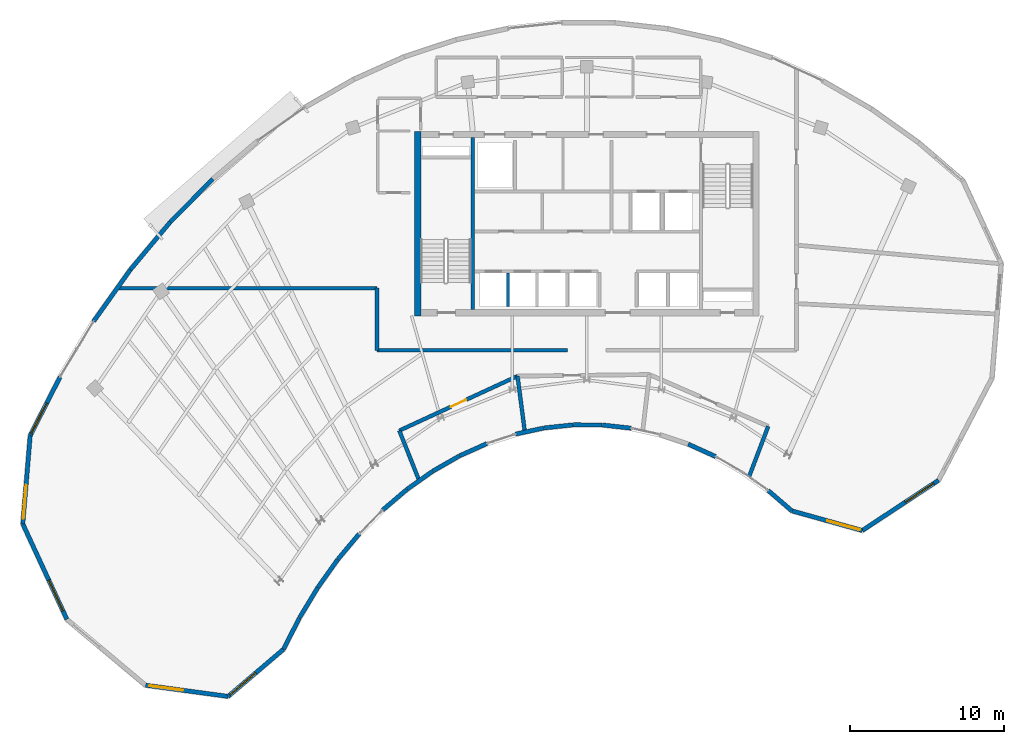
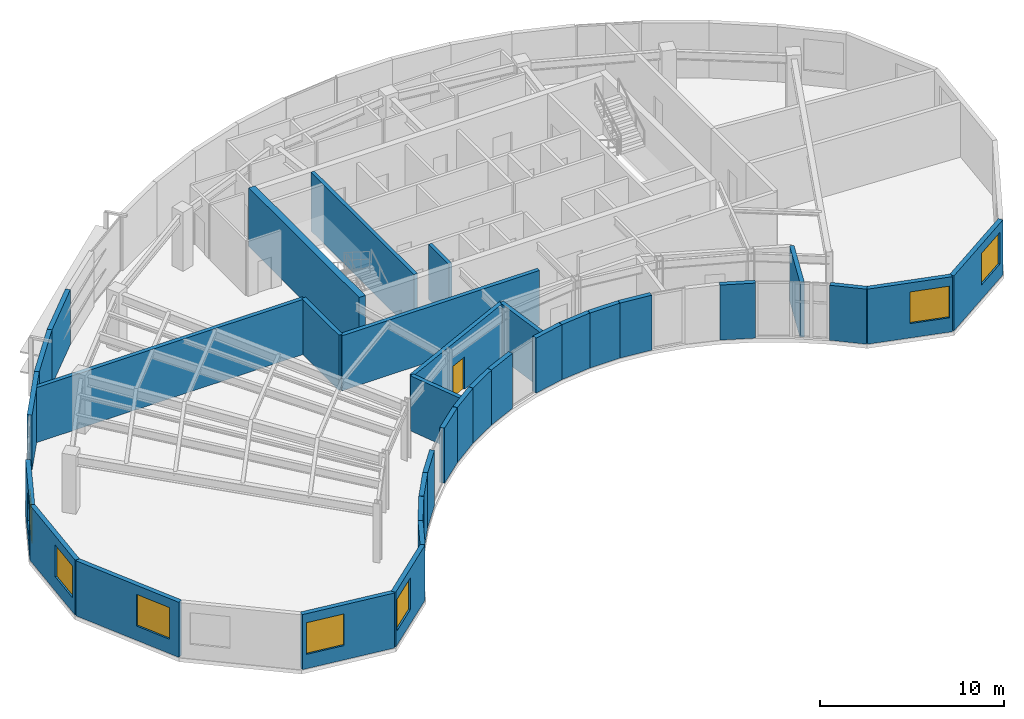
# One storey, part 8 of 12: 34 walls, 7 windows, 1 door, 8 openings.
"""IFC4 building model written with IfcOpenShell, lengths in metres."""

from ifc_helpers import new_model, si_unit, direction, frame, frame_2d, origin, place, context, subcontext, project, spatial, rectangle, extrude, source, transform, mapped, material, layer, layer_set, type_object, type_shapes, element, fill, save


model = new_model("IFC4")

# Units and contexts
model_context = context("Model", 3, precision=1e-05, world=origin(), true_north=direction((0.0, 1.0)))
body_context = subcontext(model_context, "Body", "Model", "MODEL_VIEW")
ifc_project = project(units=[si_unit("LENGTHUNIT", "METRE"), si_unit("AREAUNIT", "SQUARE_METRE"), si_unit("VOLUMEUNIT", "CUBIC_METRE"), si_unit("PLANEANGLEUNIT", "RADIAN"), si_unit("MASSUNIT", "GRAM", prefix="KILO")], contexts=[model_context])

# Site, building, storey
site_placement = place(None, origin())
site = spatial("IfcSite", under=ifc_project, at=site_placement, CompositionType="ELEMENT")
building_placement = place(site_placement, origin())
building = spatial("IfcBuilding", under=site, at=building_placement, Name="Breltana Convention Tower", CompositionType="ELEMENT")
storey_placement = place(building_placement, frame((0.0, 0.0, 264.0)))
storey = spatial("IfcBuildingStorey", under=building, at=storey_placement, Name="L64", CompositionType="ELEMENT", Elevation=264.0)

# Walls
ifc_material_1 = material(Name="Concrete C50/60", Category="concrete")
ifc_layer_1 = layer(ifc_material_1, 0.39990234375, Name="Concrete C50/60")
ifc_layer_set_1 = layer_set([ifc_layer_1], Name="Concrete C50/60")
wall_type_1 = type_object("IfcWallType", Name="SW-CORE-400", PredefinedType="SHEAR", material=ifc_layer_set_1)
shared_shape_1 = source(origin(), body_context, "Body", "SweptSolid", [
    extrude(rectangle(XDim=12.0, YDim=0.39990234375, at=frame_2d((6.0, 0.0))), origin(), (0.0, 0.0, 1.0), 3.89990234375),
])
wall_1_placement = place(storey_placement, frame((37.0, 60.199951171875, 0.0), z_axis=(0.0, 0.0, 1.0), x_axis=(0.0, 1.0, 0.0)))
element("IfcWall", 1, at=wall_1_placement, inside=storey, type_object=wall_type_1, Name="L64 West Core Shear Wall", PredefinedType="SHEAR", context=body_context, shape_type="MappedRepresentation", body=[
    mapped(shared_shape_1, transform((0.0, 0.0, 0.0), scale=1.0)),
])
shared_shape_2 = source(origin(), body_context, "Body", "SweptSolid", [
    extrude(rectangle(XDim=11.199951171875, YDim=0.219970703125, at=frame_2d((5.60009765625, 0.0))), origin(), (0.0, 0.0, 1.0), 3.89990234375),
])
wall_2_placement = place(storey_placement, frame((40.580078125, 60.60009765625, 0.0), z_axis=(0.0, 0.0, 1.0), x_axis=(0.0, 1.0, 0.0)))
element("IfcWall", 2, at=wall_2_placement, inside=storey, type_object=wall_type_1, Name="L64 Core West Stair Spine Wall", PredefinedType="SHEAR", context=body_context, shape_type="MappedRepresentation", body=[
    mapped(shared_shape_2, transform((0.0, 0.0, 0.0), scale=1.0)),
])

# Wall, opening, window
ifc_material_2 = material(Name="Limestone Buff Insulated Wall", Category="masonry")
ifc_layer_2 = layer(ifc_material_2, 0.280029296875, Name="Limestone Buff Insulated Wall")
ifc_layer_set_2 = layer_set([ifc_layer_2], Name="Limestone Buff Insulated Wall")
wall_type_2 = type_object("IfcWallType", Name="WL-EXT-NOSE-280", PredefinedType="SOLIDWALL", material=ifc_layer_set_2)
shared_shape_3 = source(origin(), body_context, "Body", "SweptSolid", [
    extrude(rectangle(XDim=5.9423828125, YDim=0.280029296875, at=frame_2d((2.97119140625, 0.0))), origin(), (0.0, 0.0, 1.0), 3.64990234375),
])
wall_3_placement = place(storey_placement, frame((70.87158203125, 49.513427734375, 0.0), z_axis=(0.0, 0.0, 1.0), x_axis=(-0.834871099304, -0.550445499162, 0.0)))
wall_3 = element("IfcWall", 3, at=wall_3_placement, inside=storey, type_object=wall_type_2, Name="L64 curved limestone nose wall E4", PredefinedType="SOLIDWALL", context=body_context, shape_type="MappedRepresentation", body=[
    mapped(shared_shape_3, transform((0.0, 0.0, 0.0), scale=1.0)),
])
opening_1_placement = place(wall_3_placement, frame((0.385498046875, 0.0, 0.949951171875)))
opening_1 = element("IfcOpeningElement", 4, at=opening_1_placement, cuts=wall_3, Name="Opening W-03", PredefinedType="OPENING", context=body_context, shape_type="SweptSolid", body=[
    extrude(rectangle(XDim=2.199951171875, YDim=2.10009765625, at=frame_2d((1.10009765625, 1.050048828125))), frame((0.0, 0.14990234375, 0.0), z_axis=(0.0, -1.0, 0.0), x_axis=(1.0, 0.0, 0.0)), (0.0, 0.0, 1.0), 0.300048828125),
])
ifc_material_3 = material(Name="Glass Low-E Insulated Window", Category="glass")
window_type = type_object("IfcWindowType", Name="WN-NOSE-2200X2100", PartitioningType="TRIPLE_PANEL_VERTICAL", PredefinedType="WINDOW", material=ifc_material_3)
shared_shape_4 = source(origin(), body_context, "Body", "SweptSolid", [
    extrude(rectangle(XDim=2.199951171875, YDim=2.10009765625, at=frame_2d((1.10009765625, 1.050048828125))), frame((0.0, 0.030029296875, 0.0), z_axis=(0.0, -1.0, 0.0), x_axis=(1.0, 0.0, 0.0)), (0.0, 0.0, 1.0), 0.06005859375),
])
type_shapes(window_type, [shared_shape_4])
window_1_placement = place(opening_1_placement, origin())
window_1 = element("IfcWindow", 5, at=window_1_placement, inside=storey, type_object=window_type, Name="L64 nose window E4", OverallHeight=2.10009765625, OverallWidth=2.199951171875, PartitioningType="TRIPLE_PANEL_VERTICAL", PredefinedType="WINDOW", context=body_context, shape_type="MappedRepresentation", body=[
    mapped(shared_shape_4, transform((0.0, 0.0, 0.0), scale=1.0)),
])
fill(opening_1, window_1)

shared_shape_5 = source(origin(), body_context, "Body", "SweptSolid", [
    extrude(rectangle(XDim=4.74853515625, YDim=0.280029296875, at=frame_2d((2.374267578125, 0.0))), origin(), (0.0, 0.0, 1.0), 3.64990234375),
])
wall_4_placement = place(storey_placement, frame((65.910400390625, 46.242431640625, 0.0), z_axis=(0.0, 0.0, 1.0), x_axis=(-0.963210849911, 0.268746829961, 0.0)))
wall_4 = element("IfcWall", 6, at=wall_4_placement, inside=storey, type_object=wall_type_2, Name="L64 curved limestone nose wall E5", PredefinedType="SOLIDWALL", context=body_context, shape_type="MappedRepresentation", body=[
    mapped(shared_shape_5, transform((0.0, 0.0, 0.0), scale=1.0)),
])
opening_2_placement = place(wall_4_placement, frame((0.159912109375, 0.0, 0.949951171875)))
opening_2 = element("IfcOpeningElement", 7, at=opening_2_placement, cuts=wall_4, Name="Opening W-03", PredefinedType="OPENING", context=body_context, shape_type="SweptSolid", body=[
    extrude(rectangle(XDim=2.199951171875, YDim=2.10009765625, at=frame_2d((1.10009765625, 1.050048828125))), frame((0.0, 0.14990234375, 0.0), z_axis=(0.0, -1.0, 0.0), x_axis=(1.0, 0.0, 0.0)), (0.0, 0.0, 1.0), 0.300048828125),
])
window_2_placement = place(opening_2_placement, origin())
window_2 = element("IfcWindow", 8, at=window_2_placement, inside=storey, type_object=window_type, Name="L64 nose window E5", OverallHeight=2.10009765625, OverallWidth=2.199951171875, PartitioningType="TRIPLE_PANEL_VERTICAL", PredefinedType="WINDOW", context=body_context, shape_type="MappedRepresentation", body=[
    mapped(shared_shape_4, transform((0.0, 0.0, 0.0), scale=1.0)),
])
fill(opening_2, window_2)

# Walls
shared_shape_6 = source(origin(), body_context, "Body", "SweptSolid", [
    extrude(rectangle(XDim=2.040283203125, YDim=0.280029296875, at=frame_2d((1.02001953125, 0.0))), origin(), (0.0, 0.0, 1.0), 3.64990234375),
])
wall_5_placement = place(storey_placement, frame((61.336669921875, 47.5185546875, 0.0), z_axis=(0.0, 0.0, 1.0), x_axis=(-0.758402847119, 0.651786101019, 0.0)))
element("IfcWall", 9, at=wall_5_placement, inside=storey, type_object=wall_type_2, Name="L64 curved limestone nose wall E6", PredefinedType="SOLIDWALL", context=body_context, shape_type="MappedRepresentation", body=[
    mapped(shared_shape_6, transform((0.0, 0.0, 0.0), scale=1.0)),
])
shared_shape_7 = source(origin(), body_context, "Body", "SweptSolid", [
    extrude(rectangle(XDim=1.94970703125, YDim=0.280029296875, at=frame_2d((0.974853515625, 0.0))), origin(), (0.0, 0.0, 1.0), 3.64990234375),
])
wall_6_placement = place(storey_placement, frame((56.37158203125, 51.05224609375, 0.0), z_axis=(0.0, 0.0, 1.0), x_axis=(-0.910507945155, 0.413491574048, 0.0)))
element("IfcWall", 10, at=wall_6_placement, inside=storey, type_object=wall_type_2, Name="L64 curved limestone nose wall E7", PredefinedType="SOLIDWALL", context=body_context, shape_type="MappedRepresentation", body=[
    mapped(shared_shape_7, transform((0.0, 0.0, 0.0), scale=1.0)),
])
shared_shape_8 = source(origin(), body_context, "Body", "SweptSolid", [
    extrude(rectangle(XDim=1.874267578125, YDim=0.280029296875, at=frame_2d((0.93701171875, 0.0))), origin(), (0.0, 0.0, 1.0), 3.64990234375),
])
wall_7_placement = place(storey_placement, frame((48.988037109375, 53.105712890625, 0.0), z_axis=(0.0, 0.0, 1.0), x_axis=(-0.999995893899, 0.002865690982, 0.0)))
element("IfcWall", 11, at=wall_7_placement, inside=storey, type_object=wall_type_2, Name="L64 curved limestone nose wall E10", PredefinedType="SOLIDWALL", context=body_context, shape_type="MappedRepresentation", body=[
    mapped(shared_shape_8, transform((0.0, 0.0, 0.0), scale=1.0)),
])
shared_shape_9 = source(origin(), body_context, "Body", "SweptSolid", [
    extrude(rectangle(XDim=1.87890625, YDim=0.280029296875, at=frame_2d((0.939453125, 0.0))), origin(), (0.0, 0.0, 1.0), 3.64990234375),
])
wall_8_placement = place(storey_placement, frame((47.09423828125, 53.110107421875, 0.0), z_axis=(0.0, 0.0, 1.0), x_axis=(-0.994431872813, -0.105381451568, 0.0)))
element("IfcWall", 12, at=wall_8_placement, inside=storey, type_object=wall_type_2, Name="L64 curved limestone nose wall E11", PredefinedType="SOLIDWALL", context=body_context, shape_type="MappedRepresentation", body=[
    mapped(shared_shape_9, transform((0.0, 0.0, 0.0), scale=1.0)),
])
shared_shape_10 = source(origin(), body_context, "Body", "SweptSolid", [
    extrude(rectangle(XDim=1.89306640625, YDim=0.280029296875, at=frame_2d((0.946533203125, 0.0))), origin(), (0.0, 0.0, 1.0), 3.64990234375),
])
wall_9_placement = place(storey_placement, frame((45.206787109375, 52.908935546875, 0.0), z_axis=(0.0, 0.0, 1.0), x_axis=(-0.977379595344, -0.21149261596, 0.0)))
element("IfcWall", 13, at=wall_9_placement, inside=storey, type_object=wall_type_2, Name="L64 curved limestone nose wall E12", PredefinedType="SOLIDWALL", context=body_context, shape_type="MappedRepresentation", body=[
    mapped(shared_shape_10, transform((0.0, 0.0, 0.0), scale=1.0)),
])
shared_shape_11 = source(origin(), body_context, "Body", "SweptSolid", [
    extrude(rectangle(XDim=1.98583984375, YDim=0.280029296875, at=frame_2d((0.992919921875, 0.0))), origin(), (0.0, 0.0, 1.0), 3.64990234375),
])
wall_10_placement = place(storey_placement, frame((39.70751953125, 51.0927734375, 0.0), z_axis=(0.0, 0.0, 1.0), x_axis=(-0.867940364671, -0.496668423976, 0.0)))
element("IfcWall", 14, at=wall_10_placement, inside=storey, type_object=wall_type_2, Name="L64 curved limestone nose wall E14", PredefinedType="SOLIDWALL", context=body_context, shape_type="MappedRepresentation", body=[
    mapped(shared_shape_11, transform((0.0, 0.0, 0.0), scale=1.0)),
])
shared_shape_12 = source(origin(), body_context, "Body", "SweptSolid", [
    extrude(rectangle(XDim=2.029541015625, YDim=0.280029296875, at=frame_2d((1.0146484375, 0.0))), origin(), (0.0, 0.0, 1.0), 3.64990234375),
])
wall_11_placement = place(storey_placement, frame((37.969482421875, 50.097412109375, 0.0), z_axis=(0.0, 0.0, 1.0), x_axis=(-0.816987864272, -0.576654861796, 0.0)))
element("IfcWall", 15, at=wall_11_placement, inside=storey, type_object=wall_type_2, Name="L64 curved limestone nose wall E15", PredefinedType="SOLIDWALL", context=body_context, shape_type="MappedRepresentation", body=[
    mapped(shared_shape_12, transform((0.0, 0.0, 0.0), scale=1.0)),
])
shared_shape_13 = source(origin(), body_context, "Body", "SweptSolid", [
    extrude(rectangle(XDim=2.07763671875, YDim=0.280029296875, at=frame_2d((1.038818359375, 0.0))), origin(), (0.0, 0.0, 1.0), 3.64990234375),
])
wall_12_placement = place(storey_placement, frame((36.29833984375, 48.9169921875, 0.0), z_axis=(0.0, 0.0, 1.0), x_axis=(-0.761475215802, -0.648194026291, 0.0)))
element("IfcWall", 16, at=wall_12_placement, inside=storey, type_object=wall_type_2, Name="L64 curved limestone nose wall E16", PredefinedType="SOLIDWALL", context=body_context, shape_type="MappedRepresentation", body=[
    mapped(shared_shape_13, transform((0.0, 0.0, 0.0), scale=1.0)),
])
shared_shape_14 = source(origin(), body_context, "Body", "SweptSolid", [
    extrude(rectangle(XDim=2.231201171875, YDim=0.280029296875, at=frame_2d((1.11572265625, 0.0))), origin(), (0.0, 0.0, 1.0), 3.64990234375),
])
wall_13_placement = place(storey_placement, frame((31.792236328125, 44.35205078125, 0.0), z_axis=(0.0, 0.0, 1.0), x_axis=(-0.579622296598, -0.814885263879, 0.0)))
element("IfcWall", 17, at=wall_13_placement, inside=storey, type_object=wall_type_2, Name="L64 curved limestone nose wall E18", PredefinedType="SOLIDWALL", context=body_context, shape_type="MappedRepresentation", body=[
    mapped(shared_shape_14, transform((0.0, 0.0, 0.0), scale=1.0)),
])
shared_shape_15 = source(origin(), body_context, "Body", "SweptSolid", [
    extrude(rectangle(XDim=2.28076171875, YDim=0.280029296875, at=frame_2d((1.140380859375, 0.0))), origin(), (0.0, 0.0, 1.0), 3.64990234375),
])
wall_14_placement = place(storey_placement, frame((30.49169921875, 42.522705078125, 0.0), z_axis=(0.0, 0.0, 1.0), x_axis=(-0.516917942662, -0.856034952881, 0.0)))
element("IfcWall", 18, at=wall_14_placement, inside=storey, type_object=wall_type_2, Name="L64 curved limestone nose wall E19", PredefinedType="SOLIDWALL", context=body_context, shape_type="MappedRepresentation", body=[
    mapped(shared_shape_15, transform((0.0, 0.0, 0.0), scale=1.0)),
])
shared_shape_16 = source(origin(), body_context, "Body", "SweptSolid", [
    extrude(rectangle(XDim=2.291748046875, YDim=0.280029296875, at=frame_2d((1.14599609375, 0.0))), origin(), (0.0, 0.0, 1.0), 3.64990234375),
])
wall_15_placement = place(storey_placement, frame((29.306396484375, 40.558837890625, 0.0), z_axis=(0.0, 0.0, 1.0), x_axis=(-0.453933760778, -0.891035431858, 0.0)))
element("IfcWall", 19, at=wall_15_placement, inside=storey, type_object=wall_type_2, Name="L64 curved limestone nose wall W1", PredefinedType="SOLIDWALL", context=body_context, shape_type="MappedRepresentation", body=[
    mapped(shared_shape_16, transform((0.0, 0.0, 0.0), scale=1.0)),
])

# Wall, opening, window
shared_shape_17 = source(origin(), body_context, "Body", "SweptSolid", [
    extrude(rectangle(XDim=4.731689453125, YDim=0.280029296875, at=frame_2d((2.36572265625, 0.0))), origin(), (0.0, 0.0, 1.0), 3.64990234375),
])
wall_16_placement = place(storey_placement, frame((28.26611328125, 38.516845703125, 0.0), z_axis=(0.0, 0.0, 1.0), x_axis=(-0.761912583238, -0.647679871158, 0.0)))
wall_16 = element("IfcWall", 20, at=wall_16_placement, inside=storey, type_object=wall_type_2, Name="L64 curved limestone nose wall W2", PredefinedType="SOLIDWALL", context=body_context, shape_type="MappedRepresentation", body=[
    mapped(shared_shape_17, transform((0.0, 0.0, 0.0), scale=1.0)),
])
opening_3_placement = place(wall_16_placement, frame((2.371826171875, 0.0, 0.949951171875)))
opening_3 = element("IfcOpeningElement", 21, at=opening_3_placement, cuts=wall_16, Name="Opening W-03", PredefinedType="OPENING", context=body_context, shape_type="SweptSolid", body=[
    extrude(rectangle(XDim=2.199951171875, YDim=2.10009765625, at=frame_2d((1.10009765625, 1.050048828125))), frame((0.0, 0.14990234375, 0.0), z_axis=(0.0, -1.0, 0.0), x_axis=(1.0, 0.0, 0.0)), (0.0, 0.0, 1.0), 0.300048828125),
])
window_3_placement = place(opening_3_placement, origin())
window_3 = element("IfcWindow", 22, at=window_3_placement, inside=storey, type_object=window_type, Name="L64 nose window W2", OverallHeight=2.10009765625, OverallWidth=2.199951171875, PartitioningType="TRIPLE_PANEL_VERTICAL", PredefinedType="WINDOW", context=body_context, shape_type="MappedRepresentation", body=[
    mapped(shared_shape_4, transform((0.0, 0.0, 0.0), scale=1.0)),
])
fill(opening_3, window_3)

shared_shape_18 = source(origin(), body_context, "Body", "SweptSolid", [
    extrude(rectangle(XDim=5.40771484375, YDim=0.280029296875, at=frame_2d((2.703857421875, 0.0))), origin(), (0.0, 0.0, 1.0), 3.64990234375),
])
wall_17_placement = place(storey_placement, frame((24.660888671875, 35.4521484375, 0.0), z_axis=(0.0, 0.0, 1.0), x_axis=(-0.990932903229, 0.134357661853, 0.0)))
wall_17 = element("IfcWall", 23, at=wall_17_placement, inside=storey, type_object=wall_type_2, Name="L64 curved limestone nose wall W3", PredefinedType="SOLIDWALL", context=body_context, shape_type="MappedRepresentation", body=[
    mapped(shared_shape_18, transform((0.0, 0.0, 0.0), scale=1.0)),
])
opening_4_placement = place(wall_17_placement, frame((2.955810546875, 0.0, 0.949951171875)))
opening_4 = element("IfcOpeningElement", 24, at=opening_4_placement, cuts=wall_17, Name="Opening W-03", PredefinedType="OPENING", context=body_context, shape_type="SweptSolid", body=[
    extrude(rectangle(XDim=2.199951171875, YDim=2.10009765625, at=frame_2d((1.10009765625, 1.050048828125))), frame((0.0, 0.14990234375, 0.0), z_axis=(0.0, -1.0, 0.0), x_axis=(1.0, 0.0, 0.0)), (0.0, 0.0, 1.0), 0.300048828125),
])
window_4_placement = place(opening_4_placement, origin())
window_4 = element("IfcWindow", 25, at=window_4_placement, inside=storey, type_object=window_type, Name="L64 nose window W3", OverallHeight=2.10009765625, OverallWidth=2.199951171875, PartitioningType="TRIPLE_PANEL_VERTICAL", PredefinedType="WINDOW", context=body_context, shape_type="MappedRepresentation", body=[
    mapped(shared_shape_4, transform((0.0, 0.0, 0.0), scale=1.0)),
])
fill(opening_4, window_4)

shared_shape_19 = source(origin(), body_context, "Body", "SweptSolid", [
    extrude(rectangle(XDim=6.8369140625, YDim=0.280029296875, at=frame_2d((3.41845703125, 0.0))), origin(), (0.0, 0.0, 1.0), 3.64990234375),
])
wall_18_placement = place(storey_placement, frame((14.18408203125, 40.464111328125, 0.0), z_axis=(0.0, 0.0, 1.0), x_axis=(-0.419621957862, 0.907698965781, 0.0)))
wall_18 = element("IfcWall", 26, at=wall_18_placement, inside=storey, type_object=wall_type_2, Name="L64 curved limestone nose wall W5", PredefinedType="SOLIDWALL", context=body_context, shape_type="MappedRepresentation", body=[
    mapped(shared_shape_19, transform((0.0, 0.0, 0.0), scale=1.0)),
])
opening_5_placement = place(wall_18_placement, frame((0.609130859375, 0.0, 0.949951171875)))
opening_5 = element("IfcOpeningElement", 27, at=opening_5_placement, cuts=wall_18, Name="Opening W-03", PredefinedType="OPENING", context=body_context, shape_type="SweptSolid", body=[
    extrude(rectangle(XDim=2.199951171875, YDim=2.10009765625, at=frame_2d((1.10009765625, 1.050048828125))), frame((0.0, 0.14990234375, 0.0), z_axis=(0.0, -1.0, 0.0), x_axis=(1.0, 0.0, 0.0)), (0.0, 0.0, 1.0), 0.300048828125),
])
window_5_placement = place(opening_5_placement, origin())
window_5 = element("IfcWindow", 28, at=window_5_placement, inside=storey, type_object=window_type, Name="L64 nose window W5", OverallHeight=2.10009765625, OverallWidth=2.199951171875, PartitioningType="TRIPLE_PANEL_VERTICAL", PredefinedType="WINDOW", context=body_context, shape_type="MappedRepresentation", body=[
    mapped(shared_shape_4, transform((0.0, 0.0, 0.0), scale=1.0)),
])
fill(opening_5, window_5)

shared_shape_20 = source(origin(), body_context, "Body", "SweptSolid", [
    extrude(rectangle(XDim=5.7626953125, YDim=0.280029296875, at=frame_2d((2.88134765625, 0.0))), origin(), (0.0, 0.0, 1.0), 3.64990234375),
])
wall_19_placement = place(storey_placement, frame((11.315185546875, 46.669921875, 0.0), z_axis=(0.0, 0.0, 1.0), x_axis=(0.083290906041, 0.996525275631, 0.0)))
wall_19 = element("IfcWall", 29, at=wall_19_placement, inside=storey, type_object=wall_type_2, Name="L64 curved limestone nose wall W6", PredefinedType="SOLIDWALL", context=body_context, shape_type="MappedRepresentation", body=[
    mapped(shared_shape_20, transform((0.0, 0.0, 0.0), scale=1.0)),
])
opening_6_placement = place(wall_19_placement, frame((0.3408203125, 0.0, 0.949951171875)))
opening_6 = element("IfcOpeningElement", 30, at=opening_6_placement, cuts=wall_19, Name="Opening W-03", PredefinedType="OPENING", context=body_context, shape_type="SweptSolid", body=[
    extrude(rectangle(XDim=2.199951171875, YDim=2.10009765625, at=frame_2d((1.10009765625, 1.050048828125))), frame((0.0, 0.14990234375, 0.0), z_axis=(0.0, -1.0, 0.0), x_axis=(1.0, 0.0, 0.0)), (0.0, 0.0, 1.0), 0.300048828125),
])
window_6_placement = place(opening_6_placement, origin())
window_6 = element("IfcWindow", 31, at=window_6_placement, inside=storey, type_object=window_type, Name="L64 nose window W6", OverallHeight=2.10009765625, OverallWidth=2.199951171875, PartitioningType="TRIPLE_PANEL_VERTICAL", PredefinedType="WINDOW", context=body_context, shape_type="MappedRepresentation", body=[
    mapped(shared_shape_4, transform((0.0, 0.0, 0.0), scale=1.0)),
])
fill(opening_6, window_6)

shared_shape_21 = source(origin(), body_context, "Body", "SweptSolid", [
    extrude(rectangle(XDim=4.281494140625, YDim=0.280029296875, at=frame_2d((2.140625, 0.0))), origin(), (0.0, 0.0, 1.0), 3.64990234375),
])
wall_20_placement = place(storey_placement, frame((11.795166015625, 52.41259765625, 0.0), z_axis=(0.0, 0.0, 1.0), x_axis=(0.454020597637, 0.890991187903, 0.0)))
wall_20 = element("IfcWall", 32, at=wall_20_placement, inside=storey, type_object=wall_type_2, Name="L64 curved limestone nose wall W7", PredefinedType="SOLIDWALL", context=body_context, shape_type="MappedRepresentation", body=[
    mapped(shared_shape_21, transform((0.0, 0.0, 0.0), scale=1.0)),
])
opening_7_placement = place(wall_20_placement, frame((0.159912109375, 0.0, 0.949951171875)))
opening_7 = element("IfcOpeningElement", 33, at=opening_7_placement, cuts=wall_20, Name="Opening W-03", PredefinedType="OPENING", context=body_context, shape_type="SweptSolid", body=[
    extrude(rectangle(XDim=2.199951171875, YDim=2.10009765625, at=frame_2d((1.10009765625, 1.050048828125))), frame((0.0, 0.14990234375, 0.0), z_axis=(0.0, -1.0, 0.0), x_axis=(1.0, 0.0, 0.0)), (0.0, 0.0, 1.0), 0.300048828125),
])
window_7_placement = place(opening_7_placement, origin())
window_7 = element("IfcWindow", 34, at=window_7_placement, inside=storey, type_object=window_type, Name="L64 nose window W7", OverallHeight=2.10009765625, OverallWidth=2.199951171875, PartitioningType="TRIPLE_PANEL_VERTICAL", PredefinedType="WINDOW", context=body_context, shape_type="MappedRepresentation", body=[
    mapped(shared_shape_4, transform((0.0, 0.0, 0.0), scale=1.0)),
])
fill(opening_7, window_7)

# Walls
shared_shape_22 = source(origin(), body_context, "Body", "SweptSolid", [
    extrude(rectangle(XDim=4.12939453125, YDim=0.280029296875, at=frame_2d((2.064697265625, 0.0))), origin(), (0.0, 0.0, 1.0), 3.64990234375),
])
wall_21_placement = place(storey_placement, frame((15.92138671875, 59.842041015625, 0.0), z_axis=(0.0, 0.0, 1.0), x_axis=(0.57959272029, 0.814906300495, 0.0)))
element("IfcWall", 35, at=wall_21_placement, inside=storey, type_object=wall_type_2, Name="L64 curved limestone nose wall E20", PredefinedType="SOLIDWALL", context=body_context, shape_type="MappedRepresentation", body=[
    mapped(shared_shape_22, transform((0.0, 0.0, 0.0), scale=1.0)),
])
shared_shape_23 = source(origin(), body_context, "Body", "SweptSolid", [
    extrude(rectangle(XDim=3.936767578125, YDim=0.280029296875, at=frame_2d((1.96826171875, 0.0))), origin(), (0.0, 0.0, 1.0), 3.64990234375),
])
wall_22_placement = place(storey_placement, frame((20.9033203125, 66.30029296875, 0.0), z_axis=(0.0, 0.0, 1.0), x_axis=(0.702690019653, 0.711496125274, 0.0)))
element("IfcWall", 36, at=wall_22_placement, inside=storey, type_object=wall_type_2, Name="L64 curved limestone nose wall E22", PredefinedType="SOLIDWALL", context=body_context, shape_type="MappedRepresentation", body=[
    mapped(shared_shape_23, transform((0.0, 0.0, 0.0), scale=1.0)),
])
shared_shape_24 = source(origin(), body_context, "Body", "SweptSolid", [
    extrude(rectangle(XDim=1.87939453125, YDim=0.280029296875, at=frame_2d((0.939697265625, 0.0))), origin(), (0.0, 0.0, 1.0), 3.64990234375),
])
wall_23_placement = place(storey_placement, frame((50.875244140625, 52.8955078125, 0.0), z_axis=(0.0, 0.0, 1.0), x_axis=(-0.993797887127, 0.111201436782, 0.0)))
element("IfcWall", 37, at=wall_23_placement, inside=storey, type_object=wall_type_2, Name="L64 curved limestone nose wall E9", PredefinedType="SOLIDWALL", context=body_context, shape_type="MappedRepresentation", body=[
    mapped(shared_shape_24, transform((0.0, 0.0, 0.0), scale=1.0)),
])
shared_shape_25 = source(origin(), body_context, "Body", "SweptSolid", [
    extrude(rectangle(XDim=1.94775390625, YDim=0.280029296875, at=frame_2d((0.973876953125, 0.0))), origin(), (0.0, 0.0, 1.0), 3.64990234375),
])
wall_24_placement = place(storey_placement, frame((41.501220703125, 51.896728515625, 0.0), z_axis=(0.0, 0.0, 1.0), x_axis=(-0.912712483043, -0.408602402461, 0.0)))
element("IfcWall", 38, at=wall_24_placement, inside=storey, type_object=wall_type_2, Name="L64 curved limestone nose wall E13", PredefinedType="SOLIDWALL", context=body_context, shape_type="MappedRepresentation", body=[
    mapped(shared_shape_25, transform((0.0, 0.0, 0.0), scale=1.0)),
])
shared_shape_26 = source(origin(), body_context, "Body", "SweptSolid", [
    extrude(rectangle(XDim=2.1796875, YDim=0.280029296875, at=frame_2d((1.08984375, 0.0))), origin(), (0.0, 0.0, 1.0), 3.64990234375),
])
wall_25_placement = place(storey_placement, frame((33.19970703125, 46.03466796875, 0.0), z_axis=(0.0, 0.0, 1.0), x_axis=(-0.641835571889, -0.766842290603, 0.0)))
element("IfcWall", 39, at=wall_25_placement, inside=storey, type_object=wall_type_2, Name="L64 curved limestone nose wall E17", PredefinedType="SOLIDWALL", context=body_context, shape_type="MappedRepresentation", body=[
    mapped(shared_shape_26, transform((0.0, 0.0, 0.0), scale=1.0)),
])
shared_shape_27 = source(origin(), body_context, "Body", "SweptSolid", [
    extrude(rectangle(XDim=4.033447265625, YDim=0.280029296875, at=frame_2d((2.0166015625, 0.0))), origin(), (0.0, 0.0, 1.0), 3.64990234375),
])
wall_26_placement = place(storey_placement, frame((18.314697265625, 63.20703125, 0.0), z_axis=(0.0, 0.0, 1.0), x_axis=(0.641778577123, 0.766889990772, 0.0)))
element("IfcWall", 40, at=wall_26_placement, inside=storey, type_object=wall_type_2, Name="L64 curved limestone nose wall E21", PredefinedType="SOLIDWALL", context=body_context, shape_type="MappedRepresentation", body=[
    mapped(shared_shape_27, transform((0.0, 0.0, 0.0), scale=1.0)),
])
ifc_material_4 = material(Name="Autoclaved Aerated Concrete Block", Category="concrete")
ifc_layer_3 = layer(ifc_material_4, 0.199951171875, Name="Autoclaved Aerated Concrete Block")
ifc_layer_set_3 = layer_set([ifc_layer_3], Name="Autoclaved Aerated Concrete Block")
wall_type_3 = type_object("IfcWallType", Name="WL-SHAFT-200", PredefinedType="SOLIDWALL", material=ifc_layer_set_3)
shared_shape_28 = source(origin(), body_context, "Body", "SweptSolid", [
    extrude(rectangle(XDim=2.199951171875, YDim=0.199951171875, at=frame_2d((1.10009765625, 0.0))), origin(), (0.0, 0.0, 1.0), 3.64990234375),
])
wall_27_placement = place(storey_placement, frame((42.8701171875, 60.800048828125, 0.0), z_axis=(0.0, 0.0, 1.0), x_axis=(0.0, 1.0, 0.0)))
element("IfcWall", 41, at=wall_27_placement, inside=storey, type_object=wall_type_3, Name="L64 interior partition W-L64-SH-S-DIV1", PredefinedType="SOLIDWALL", context=body_context, shape_type="MappedRepresentation", body=[
    mapped(shared_shape_28, transform((0.0, 0.0, 0.0), scale=1.0)),
])

# Wall, opening, door
ifc_material_5 = material(Name="Gypsum Acoustic Double Stud Wall")
ifc_layer_4 = layer(ifc_material_5, 0.25, Name="Gypsum Acoustic Double Stud Wall")
ifc_layer_set_4 = layer_set([ifc_layer_4], Name="Gypsum Acoustic Double Stud Wall")
wall_type_4 = type_object("IfcWallType", Name="WL-ACOUSTIC-250", PredefinedType="PARTITIONING", material=ifc_layer_set_4)
shared_shape_29 = source(origin(), body_context, "Body", "SweptSolid", [
    extrude(rectangle(XDim=8.464111328125, YDim=0.25, at=frame_2d((4.23193359375, 0.0))), origin(), (0.0, 0.0, 1.0), 3.64990234375),
])
wall_28_placement = place(storey_placement, frame((35.802978515625, 52.73828125, 0.0), z_axis=(0.0, 0.0, 1.0), x_axis=(0.90801678306, 0.418933791524, 0.0)))
wall_28 = element("IfcWall", 42, at=wall_28_placement, inside=storey, type_object=wall_type_4, Name="L64 interior partition W-L64-ES1-COR", PredefinedType="PARTITIONING", context=body_context, shape_type="MappedRepresentation", body=[
    mapped(shared_shape_29, transform((0.0, 0.0, 0.0), scale=1.0)),
])
opening_8_placement = place(wall_28_placement, frame((3.68212890625, 0.0, 0.0)))
opening_8 = element("IfcOpeningElement", 43, at=opening_8_placement, cuts=wall_28, Name="Opening D-12", PredefinedType="OPENING", context=body_context, shape_type="SweptSolid", body=[
    extrude(rectangle(XDim=1.10009765625, YDim=2.14990234375, at=frame_2d((0.550048828125, 1.074951171875))), frame((0.0, 0.135009765625, 0.0), z_axis=(0.0, -1.0, 0.0), x_axis=(1.0, 0.0, 0.0)), (0.0, 0.0, 1.0), 0.27001953125),
])
ifc_material_6 = material(Name="Timber Oak Acoustic Door", Category="wood")
door_type = type_object("IfcDoorType", Name="DR-INT-1100", OperationType="NOTDEFINED", PredefinedType="DOOR", material=ifc_material_6)
shared_shape_30 = source(origin(), body_context, "Body", "SweptSolid", [
    extrude(rectangle(XDim=1.10009765625, YDim=2.14990234375, at=frame_2d((0.550048828125, 1.074951171875))), frame((0.0, 0.02490234375, 0.0), z_axis=(0.0, -1.0, 0.0), x_axis=(1.0, 0.0, 0.0)), (0.0, 0.0, 1.0), 0.050048828125),
])
type_shapes(door_type, [shared_shape_30])
door_placement = place(opening_8_placement, origin())
door = element("IfcDoor", 44, at=door_placement, inside=storey, type_object=door_type, Name="L64 interior door D-L64-ES1", OperationType="SINGLE_SWING_RIGHT", OverallHeight=2.14990234375, OverallWidth=1.10009765625, PredefinedType="DOOR", context=body_context, shape_type="MappedRepresentation", body=[
    mapped(shared_shape_30, transform((0.0, 0.0, 0.0), scale=1.0)),
])
fill(opening_8, door)

# Walls
shared_shape_31 = source(origin(), body_context, "Body", "SweptSolid", [
    extrude(rectangle(XDim=3.49462890625, YDim=0.25, at=frame_2d((1.747314453125, 0.0))), origin(), (0.0, 0.0, 1.0), 3.64990234375),
])
wall_29_placement = place(storey_placement, frame((37.092041015625, 49.489990234375, 0.0), z_axis=(0.0, 0.0, 1.0), x_axis=(-0.368859890644, 0.929485008526, 0.0)))
element("IfcWall", 45, at=wall_29_placement, inside=storey, type_object=wall_type_4, Name="L64 interior partition W-L64-ES1-RA", PredefinedType="PARTITIONING", context=body_context, shape_type="MappedRepresentation", body=[
    mapped(shared_shape_31, transform((0.0, 0.0, 0.0), scale=1.0)),
])
shared_shape_32 = source(origin(), body_context, "Body", "SweptSolid", [
    extrude(rectangle(XDim=3.66455078125, YDim=0.25, at=frame_2d((1.832275390625, 0.0))), origin(), (0.0, 0.0, 1.0), 3.64990234375),
])
wall_30_placement = place(storey_placement, frame((43.966796875, 52.65087890625, 0.0), z_axis=(0.0, 0.0, 1.0), x_axis=(-0.130509659129, 0.991447037856, 0.0)))
element("IfcWall", 46, at=wall_30_placement, inside=storey, type_object=wall_type_4, Name="L64 interior partition W-L64-ES1-RB", PredefinedType="PARTITIONING", context=body_context, shape_type="MappedRepresentation", body=[
    mapped(shared_shape_32, transform((0.0, 0.0, 0.0), scale=1.0)),
])
shared_shape_33 = source(origin(), body_context, "Body", "SweptSolid", [
    extrude(rectangle(XDim=3.501953125, YDim=0.25, at=frame_2d((1.7509765625, 0.0))), origin(), (0.0, 0.0, 1.0), 3.64990234375),
])
wall_31_placement = place(storey_placement, frame((58.550048828125, 49.74560546875, 0.0), z_axis=(0.0, 0.0, 1.0), x_axis=(0.35542122772, 0.934706237749, 0.0)))
element("IfcWall", 47, at=wall_31_placement, inside=storey, type_object=wall_type_4, Name="L64 interior partition W-L64-ES3-RB", PredefinedType="PARTITIONING", context=body_context, shape_type="MappedRepresentation", body=[
    mapped(shared_shape_33, transform((0.0, 0.0, 0.0), scale=1.0)),
])
shared_shape_34 = source(origin(), body_context, "Body", "SweptSolid", [
    extrude(rectangle(XDim=12.389892578125, YDim=0.25, at=frame_2d((6.19482421875, 0.0))), origin(), (0.0, 0.0, 1.0), 3.64990234375),
])
wall_32_placement = place(storey_placement, frame((34.360107421875, 57.9599609375, 0.0), z_axis=(0.0, 0.0, 1.0), x_axis=(1.0, 0.0, 0.0)))
element("IfcWall", 48, at=wall_32_placement, inside=storey, type_object=wall_type_4, Name="L64 interior partition W-L64-Z45-CSW", PredefinedType="PARTITIONING", context=body_context, shape_type="MappedRepresentation", body=[
    mapped(shared_shape_34, transform((0.0, 0.0, 0.0), scale=1.0)),
])
shared_shape_35 = source(origin(), body_context, "Body", "SweptSolid", [
    extrude(rectangle(XDim=16.8916015625, YDim=0.25, at=frame_2d((8.44580078125, 0.0))), origin(), (0.0, 0.0, 1.0), 3.64990234375),
])
wall_33_placement = place(storey_placement, frame((17.468505859375, 62.0, 0.0), z_axis=(0.0, 0.0, 1.0), x_axis=(1.0, 0.0, 0.0)))
element("IfcWall", 49, at=wall_33_placement, inside=storey, type_object=wall_type_4, Name="L64 interior partition W-L64-EXW1-N", PredefinedType="PARTITIONING", context=body_context, shape_type="MappedRepresentation", body=[
    mapped(shared_shape_35, transform((0.0, 0.0, 0.0), scale=1.0)),
])
shared_shape_36 = source(origin(), body_context, "Body", "SweptSolid", [
    extrude(rectangle(XDim=4.0400390625, YDim=0.25, at=frame_2d((2.02001953125, 0.0))), origin(), (0.0, 0.0, 1.0), 3.64990234375),
])
wall_34_placement = place(storey_placement, frame((34.360107421875, 57.9599609375, 0.0), z_axis=(0.0, 0.0, 1.0), x_axis=(0.0, 1.0, 0.0)))
element("IfcWall", 50, at=wall_34_placement, inside=storey, type_object=wall_type_4, Name="L64 interior partition W-L64-EXW1-ENT", PredefinedType="PARTITIONING", context=body_context, shape_type="MappedRepresentation", body=[
    mapped(shared_shape_36, transform((0.0, 0.0, 0.0), scale=1.0)),
])

save(model, "model.ifc")
